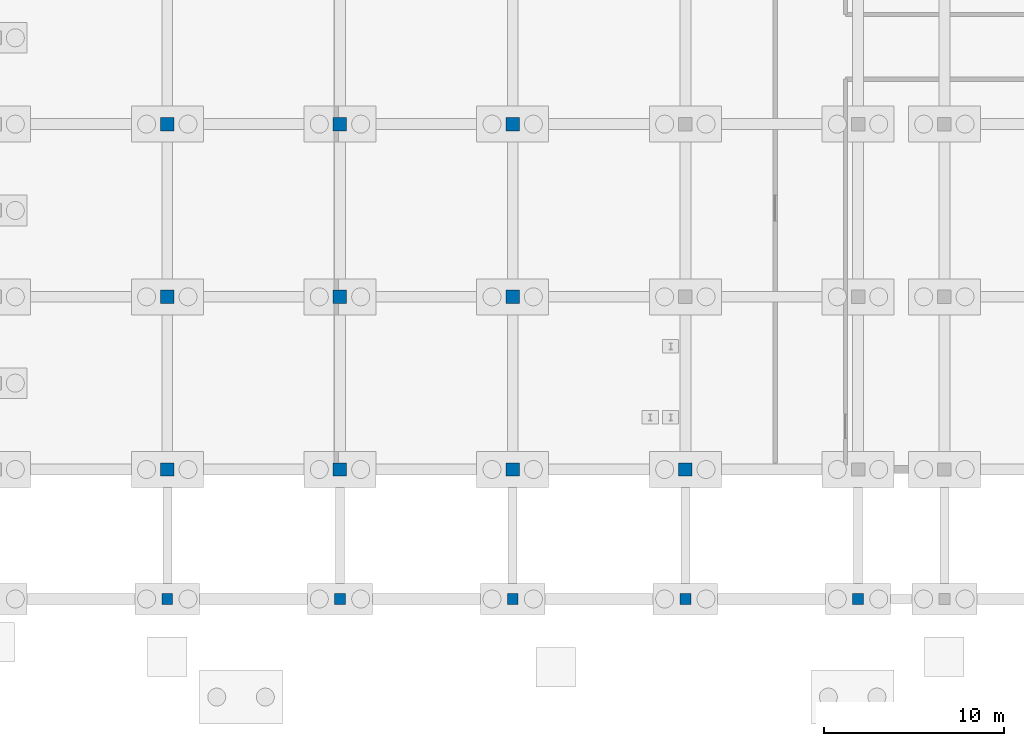
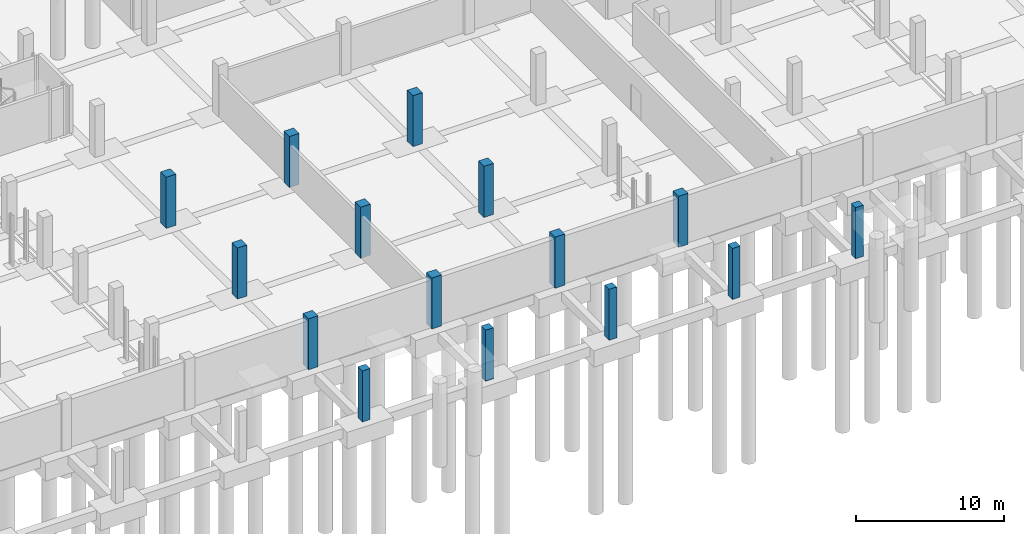
# One storey, part 16 of 54: 15 columns.
"""IFC4 building model written with IfcOpenShell, lengths in metres."""

from ifc_helpers import new_model, si_unit, direction, frame, origin, origin_2d, place, context, subcontext, project, spatial, rectangle, extrude, material, material_profile, profile_set, type_object, element, save


model = new_model("IFC4")

# Units and contexts
model_context = context("Model", 3, precision=1e-05, world=origin(), true_north=direction((0.0, 1.0)))
body_context = subcontext(model_context, "Body", "Model", "MODEL_VIEW")
ifc_project = project(units=[si_unit("LENGTHUNIT", "METRE"), si_unit("AREAUNIT", "SQUARE_METRE"), si_unit("VOLUMEUNIT", "CUBIC_METRE"), si_unit("PLANEANGLEUNIT", "RADIAN"), si_unit("MASSUNIT", "GRAM", prefix="KILO")], contexts=[model_context])

# Site, building, storey
site_placement = place(None, origin())
site = spatial("IfcSite", under=ifc_project, at=site_placement, CompositionType="ELEMENT")
building_placement = place(site_placement, origin())
building = spatial("IfcBuilding", under=site, at=building_placement, Name="Zevrakil Square Congress Hotel", CompositionType="ELEMENT")
storey_placement = place(building_placement, frame((0.0, 0.0, -8.39990234375)))
storey = spatial("IfcBuildingStorey", under=building, at=storey_placement, Name="B2", CompositionType="ELEMENT", Elevation=-8.39990234375)

# Columns
ifc_material_1 = material(Name="Concrete C40/50", Category="concrete")
ifc_material_profile_1 = material_profile(ifc_material_1, rectangle(XDim=0.60009765625, YDim=0.60009765625, at=origin_2d()), Name="RC 600x600")
ifc_profile_set_1 = profile_set([ifc_material_profile_1], Name="Concrete C40/50")
column_type_1 = type_object("IfcColumnType", Name="COL-RC600", PredefinedType="COLUMN", material=ifc_profile_set_1)
for number, where, z_axis, x_axis, name in (
    (1, (64.800048828125, 0.0, 0.0), (0.0, 0.0, 1.0), (1.0, 0.0, 0.0), "B2 column C-099"),
    (2, (74.39990234375, 0.0, 0.0), (0.0, 0.0, 1.0), (1.0, 0.0, 0.0), "B2 column C-113"),
    (3, (84.0, 0.0, 0.0), (0.0, 0.0, 1.0), (1.0, 0.0, 0.0), "B2 column C-125"),
    (4, (93.60009765625, 0.0, 0.0), (0.0, 0.0, 1.0), (1.0, 0.0, 0.0), "B2 column C-137"),
    (5, (103.199951171875, 0.0, 0.0), (0.0, 0.0, 1.0), (1.0, 0.0, 0.0), "B2 column C-149"),
):
    element("IfcColumn", number, at=place(storey_placement, frame(where, z_axis=z_axis, x_axis=x_axis)), inside=storey, type_object=column_type_1, Name=name, PredefinedType="COLUMN", context=body_context, shape_type="SweptSolid", body=[
        extrude(rectangle(XDim=0.60009765625, YDim=0.60009765625, at=origin_2d()), origin(), (0.0, 0.0, 1.0), 4.199951171875),
    ])
ifc_material_2 = material(Name="Concrete C40/50", Category="concrete")
ifc_material_profile_2 = material_profile(ifc_material_2, rectangle(XDim=0.75, YDim=0.75, at=origin_2d()), Name="RC 750x750")
ifc_profile_set_2 = profile_set([ifc_material_profile_2], Name="Concrete C40/50")
column_type_2 = type_object("IfcColumnType", Name="COL-RC750", PredefinedType="COLUMN", material=ifc_profile_set_2)
for number, where, z_axis, x_axis, name in (
    (6, (64.800048828125, 7.199951171875, 0.0), (0.0, 0.0, 1.0), (1.0, 0.0, 0.0), "B2 column C-100"),
    (7, (64.800048828125, 16.800048828125, 0.0), (0.0, 0.0, 1.0), (1.0, 0.0, 0.0), "B2 column C-101"),
    (8, (64.800048828125, 26.39990234375, 0.0), (0.0, 0.0, 1.0), (1.0, 0.0, 0.0), "B2 column C-102"),
    (9, (74.39990234375, 7.199951171875, 0.0), (0.0, 0.0, 1.0), (1.0, 0.0, 0.0), "B2 column C-114"),
    (10, (74.39990234375, 16.800048828125, 0.0), (0.0, 0.0, 1.0), (1.0, 0.0, 0.0), "B2 column C-115"),
    (11, (74.39990234375, 26.39990234375, 0.0), (0.0, 0.0, 1.0), (1.0, 0.0, 0.0), "B2 column C-116"),
    (12, (84.0, 7.199951171875, 0.0), (0.0, 0.0, 1.0), (1.0, 0.0, 0.0), "B2 column C-126"),
    (13, (84.0, 16.800048828125, 0.0), (0.0, 0.0, 1.0), (1.0, 0.0, 0.0), "B2 column C-127"),
    (14, (84.0, 26.39990234375, 0.0), (0.0, 0.0, 1.0), (1.0, 0.0, 0.0), "B2 column C-128"),
    (15, (93.60009765625, 7.199951171875, 0.0), (0.0, 0.0, 1.0), (1.0, 0.0, 0.0), "B2 column C-138"),
):
    element("IfcColumn", number, at=place(storey_placement, frame(where, z_axis=z_axis, x_axis=x_axis)), inside=storey, type_object=column_type_2, Name=name, PredefinedType="COLUMN", context=body_context, shape_type="SweptSolid", body=[
        extrude(rectangle(XDim=0.75, YDim=0.75, at=origin_2d()), origin(), (0.0, 0.0, 1.0), 4.199951171875),
    ])

save(model, "model.ifc")
